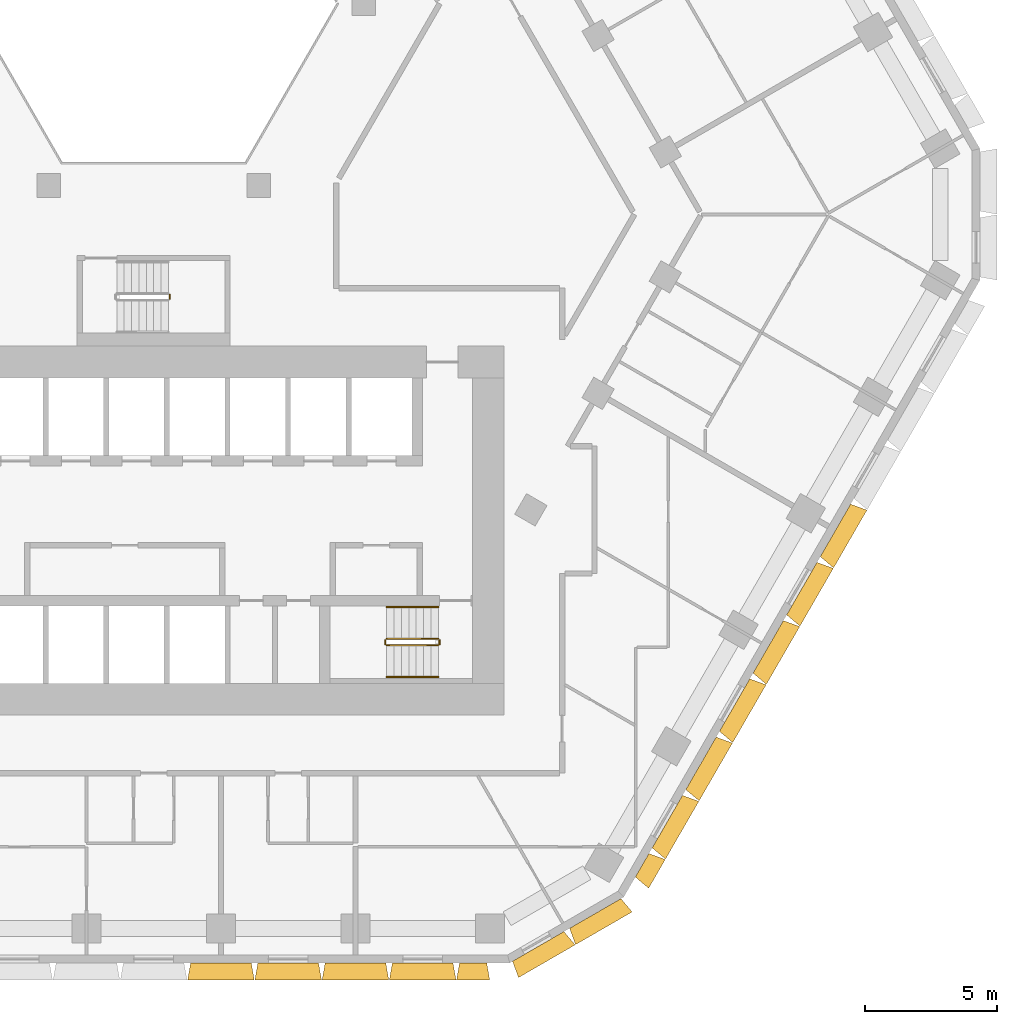
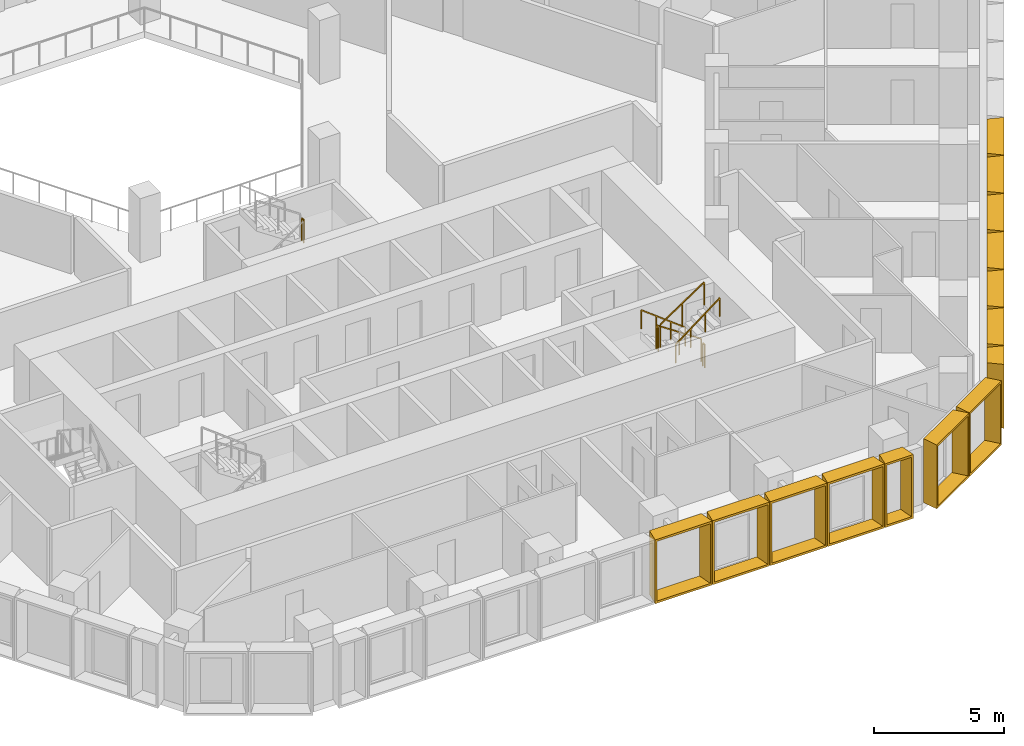
# One storey, part 15 of 16: 14 shading devices, 7 railings.
"""IFC4 building model written with IfcOpenShell, lengths in metres."""

from ifc_helpers import new_model, entity, si_unit, direction, frame, origin, origin_2d, place, context, subcontext, project, spatial, rectangle, extrude, source, transform, mapped, material, type_object, type_shapes, element, save


model = new_model("IFC4")

# Units and contexts
model_context = context("Model", 3, precision=1e-05, world=origin(), true_north=direction((0.0, 1.0)))
body_context = subcontext(model_context, "Body", "Model", "MODEL_VIEW")
ifc_project = project(units=[si_unit("LENGTHUNIT", "METRE"), si_unit("AREAUNIT", "SQUARE_METRE"), si_unit("VOLUMEUNIT", "CUBIC_METRE"), si_unit("PLANEANGLEUNIT", "RADIAN"), si_unit("MASSUNIT", "GRAM", prefix="KILO")], contexts=[model_context])

# Site, building, storey
site_placement = place(None, origin())
site = spatial("IfcSite", under=ifc_project, at=site_placement, CompositionType="ELEMENT")
building_placement = place(site_placement, origin())
building = spatial("IfcBuilding", under=site, at=building_placement, Name="Beryl Residences", CompositionType="ELEMENT")
storey_placement = place(building_placement, frame((0.0, 0.0, 26.39990234375)))
storey = spatial("IfcBuildingStorey", under=building, at=storey_placement, Name="L07", CompositionType="ELEMENT", Elevation=26.39990234375)

# Shading devices
ifc_material_1 = material(Name="Aluminium pale anodised", Category="aluminium")
shading_device_type_1 = type_object("IfcShadingDeviceType", Name="FR128-65A OUTER SKIN frame 650 mm deep, splay 10/10 deg, 1280 x 3000 mm cell", PredefinedType="USERDEFINED", material=ifc_material_1)
cartesian_point_1 = entity("IfcCartesianPoint", [-0.514892578125, 0.0])
cartesian_point_2 = entity("IfcCartesianPoint", [-0.433837890625, 0.10009765625])
cartesian_point_3 = entity("IfcCartesianPoint", [-0.629638671875, 0.0])
cartesian_point_4 = entity("IfcCartesianPoint", [-0.54833984375, 0.10009765625])
shared_shape_1 = source(origin(), body_context, "Body", "SweptSolid", [
    entity("IfcExtrudedAreaSolidTapered", entity("IfcArbitraryProfileDefWithVoids", "AREA", None, entity("IfcPolyline", [cartesian_point_1, entity("IfcCartesianPoint", [0.514892578125, 0.0]), entity("IfcCartesianPoint", [0.514892578125, 3.0]), entity("IfcCartesianPoint", [-0.514892578125, 3.0]), cartesian_point_1]), [entity("IfcPolyline", [cartesian_point_2, entity("IfcCartesianPoint", [0.433837890625, 0.10009765625]), entity("IfcCartesianPoint", [0.433837890625, 2.89990234375]), entity("IfcCartesianPoint", [-0.433837890625, 2.89990234375]), cartesian_point_2])]), entity("IfcAxis2Placement3D", entity("IfcCartesianPoint", [0.0, 0.0, 0.0]), entity("IfcDirection", [0.0, 1.0, 0.0]), entity("IfcDirection", [-1.0, 0.0, 0.0])), entity("IfcDirection", [0.0, 0.0, 1.0]), 0.64990234375, entity("IfcArbitraryProfileDefWithVoids", "AREA", None, entity("IfcPolyline", [cartesian_point_3, entity("IfcCartesianPoint", [0.629638671875, 0.0]), entity("IfcCartesianPoint", [0.629638671875, 3.0]), entity("IfcCartesianPoint", [-0.629638671875, 3.0]), cartesian_point_3]), [entity("IfcPolyline", [cartesian_point_4, entity("IfcCartesianPoint", [0.54833984375, 0.10009765625]), entity("IfcCartesianPoint", [0.54833984375, 2.89990234375]), entity("IfcCartesianPoint", [-0.54833984375, 2.89990234375]), cartesian_point_4])])),
])
type_shapes(shading_device_type_1, [shared_shape_1])
for number, where, z_axis, x_axis, name in (
    (1, (12.123046875, -28.39990234375, 0.0), (0.0, 0.0, 1.0), (-1.0, 0.0, 0.0), "FR128-65A frame L07 S 11"),
    (2, (18.534912109375, -24.697021484375, 0.0), (0.0, 0.0, 1.0), (-0.5, -0.866025403784, 0.0), "FR128-65A frame L07 SE 1"),
):
    element("IfcShadingDevice", number, at=place(storey_placement, frame(where, z_axis=z_axis, x_axis=x_axis)), inside=storey, type_object=shading_device_type_1, Name=name, ObjectType="OUTER SKIN", PredefinedType="USERDEFINED", context=body_context, shape_type="MappedRepresentation", body=[
        mapped(shared_shape_1, transform((0.0, 0.0, 0.0))),
    ])
ifc_material_2 = material(Name="Aluminium pale anodised", Category="aluminium")
shading_device_type_2 = type_object("IfcShadingDeviceType", Name="FR250-65A OUTER SKIN frame 650 mm deep, splay 10/10 deg, 2500 x 3000 mm cell", PredefinedType="USERDEFINED", material=ifc_material_2)
cartesian_point_5 = entity("IfcCartesianPoint", [-1.125, 0.0])
cartesian_point_6 = entity("IfcCartesianPoint", [-1.043701171875, 0.10009765625])
cartesian_point_7 = entity("IfcCartesianPoint", [-1.239501953125, 0.0])
cartesian_point_8 = entity("IfcCartesianPoint", [-1.158447265625, 0.10009765625])
shared_shape_2 = source(origin(), body_context, "Body", "SweptSolid", [
    entity("IfcExtrudedAreaSolidTapered", entity("IfcArbitraryProfileDefWithVoids", "AREA", None, entity("IfcPolyline", [cartesian_point_5, entity("IfcCartesianPoint", [1.125, 0.0]), entity("IfcCartesianPoint", [1.125, 3.0]), entity("IfcCartesianPoint", [-1.125, 3.0]), cartesian_point_5]), [entity("IfcPolyline", [cartesian_point_6, entity("IfcCartesianPoint", [1.043701171875, 0.10009765625]), entity("IfcCartesianPoint", [1.043701171875, 2.89990234375]), entity("IfcCartesianPoint", [-1.043701171875, 2.89990234375]), cartesian_point_6])]), entity("IfcAxis2Placement3D", entity("IfcCartesianPoint", [0.0, 0.0, 0.0]), entity("IfcDirection", [0.0, 1.0, 0.0]), entity("IfcDirection", [-1.0, 0.0, 0.0])), entity("IfcDirection", [0.0, 0.0, 1.0]), 0.64990234375, entity("IfcArbitraryProfileDefWithVoids", "AREA", None, entity("IfcPolyline", [cartesian_point_7, entity("IfcCartesianPoint", [1.239501953125, 0.0]), entity("IfcCartesianPoint", [1.239501953125, 3.0]), entity("IfcCartesianPoint", [-1.239501953125, 3.0]), cartesian_point_7]), [entity("IfcPolyline", [cartesian_point_8, entity("IfcCartesianPoint", [1.158447265625, 0.10009765625]), entity("IfcCartesianPoint", [1.158447265625, 2.89990234375]), entity("IfcCartesianPoint", [-1.158447265625, 2.89990234375]), cartesian_point_8])])),
])
type_shapes(shading_device_type_2, [shared_shape_2])
for number, where, z_axis, x_axis, name in (
    (3, (14.593017578125, -27.77490234375, 0.0), (0.0, 0.0, 1.0), (-0.866025403784, -0.5, 0.0), "FR250-65A frame L07 S-SE 1"),
    (4, (16.758056640625, -26.52490234375, 0.0), (0.0, 0.0, 1.0), (-0.866025403784, -0.5, 0.0), "FR250-65A frame L07 S-SE 2"),
):
    element("IfcShadingDevice", number, at=place(storey_placement, frame(where, z_axis=z_axis, x_axis=x_axis)), inside=storey, type_object=shading_device_type_2, Name=name, ObjectType="OUTER SKIN", PredefinedType="USERDEFINED", context=body_context, shape_type="MappedRepresentation", body=[
        mapped(shared_shape_2, transform((0.0, 0.0, 0.0))),
    ])
ifc_material_3 = material(Name="Aluminium pale anodised", Category="aluminium")
shading_device_type_3 = type_object("IfcShadingDeviceType", Name="FR255-65A OUTER SKIN frame 650 mm deep, splay 10/10 deg, 2550 x 3000 mm cell", PredefinedType="USERDEFINED", material=ifc_material_3)
cartesian_point_9 = entity("IfcCartesianPoint", [-1.14990234375, 0.0])
cartesian_point_10 = entity("IfcCartesianPoint", [-1.06884765625, 0.10009765625])
cartesian_point_11 = entity("IfcCartesianPoint", [-1.2646484375, 0.0])
cartesian_point_12 = entity("IfcCartesianPoint", [-1.183349609375, 0.10009765625])
shared_shape_3 = source(origin(), body_context, "Body", "SweptSolid", [
    entity("IfcExtrudedAreaSolidTapered", entity("IfcArbitraryProfileDefWithVoids", "AREA", None, entity("IfcPolyline", [cartesian_point_9, entity("IfcCartesianPoint", [1.14990234375, 0.0]), entity("IfcCartesianPoint", [1.14990234375, 3.0]), entity("IfcCartesianPoint", [-1.14990234375, 3.0]), cartesian_point_9]), [entity("IfcPolyline", [cartesian_point_10, entity("IfcCartesianPoint", [1.06884765625, 0.10009765625]), entity("IfcCartesianPoint", [1.06884765625, 2.89990234375]), entity("IfcCartesianPoint", [-1.06884765625, 2.89990234375]), cartesian_point_10])]), entity("IfcAxis2Placement3D", entity("IfcCartesianPoint", [0.0, 0.0, 0.0]), entity("IfcDirection", [0.0, 1.0, 0.0]), entity("IfcDirection", [-1.0, 0.0, 0.0])), entity("IfcDirection", [0.0, 0.0, 1.0]), 0.64990234375, entity("IfcArbitraryProfileDefWithVoids", "AREA", None, entity("IfcPolyline", [cartesian_point_11, entity("IfcCartesianPoint", [1.2646484375, 0.0]), entity("IfcCartesianPoint", [1.2646484375, 3.0]), entity("IfcCartesianPoint", [-1.2646484375, 3.0]), cartesian_point_11]), [entity("IfcPolyline", [cartesian_point_12, entity("IfcCartesianPoint", [1.183349609375, 0.10009765625]), entity("IfcCartesianPoint", [1.183349609375, 2.89990234375]), entity("IfcCartesianPoint", [-1.183349609375, 2.89990234375]), cartesian_point_12])])),
])
type_shapes(shading_device_type_3, [shared_shape_3])
for number, where, z_axis, x_axis, name in (
    (5, (2.552978515625, -28.39990234375, 0.0), (0.0, 0.0, 1.0), (-1.0, 0.0, 0.0), "FR255-65A frame L07 S 7"),
    (6, (5.10498046875, -28.39990234375, 0.0), (0.0, 0.0, 1.0), (-1.0, 0.0, 0.0), "FR255-65A frame L07 S 8"),
    (7, (7.656982421875, -28.39990234375, 0.0), (0.0, 0.0, 1.0), (-1.0, 0.0, 0.0), "FR255-65A frame L07 S 9"),
    (8, (10.208984375, -28.39990234375, 0.0), (0.0, 0.0, 1.0), (-1.0, 0.0, 0.0), "FR255-65A frame L07 S 10"),
    (9, (19.491943359375, -23.0400390625, 0.0), (0.0, 0.0, 1.0), (-0.5, -0.866025403784, 0.0), "FR255-65A frame L07 SE 2"),
    (10, (20.76806640625, -20.830078125, 0.0), (0.0, 0.0, 1.0), (-0.5, -0.866025403784, 0.0), "FR255-65A frame L07 SE 3"),
    (11, (22.0439453125, -18.618896484375, 0.0), (0.0, 0.0, 1.0), (-0.5, -0.866025403784, 0.0), "FR255-65A frame L07 SE 4"),
    (12, (23.320068359375, -16.408935546875, 0.0), (0.0, 0.0, 1.0), (-0.5, -0.866025403784, 0.0), "FR255-65A frame L07 SE 5"),
    (13, (24.594970703125, -14.198974609375, 0.0), (0.0, 0.0, 1.0), (-0.5, -0.866025403784, 0.0), "FR255-65A frame L07 SE 6"),
    (14, (25.87109375, -11.989013671875, 0.0), (0.0, 0.0, 1.0), (-0.5, -0.866025403784, 0.0), "FR255-65A frame L07 SE 7"),
):
    element("IfcShadingDevice", number, at=place(storey_placement, frame(where, z_axis=z_axis, x_axis=x_axis)), inside=storey, type_object=shading_device_type_3, Name=name, ObjectType="OUTER SKIN", PredefinedType="USERDEFINED", context=body_context, shape_type="MappedRepresentation", body=[
        mapped(shared_shape_3, transform((0.0, 0.0, 0.0))),
    ])

# Railings
ifc_material_4 = material(Name="Stainless steel balustrade with glass infill", Category="steel")
railing_type_1 = type_object("IfcRailingType", Name="SG1 stair guard 1100 mm", PredefinedType="GUARDRAIL", material=ifc_material_4)
railing_1_placement = place(storey_placement, frame((10.800048828125, -16.10009765625, 0.1875)))
element("IfcRailing", 15, at=railing_1_placement, inside=storey, type_object=railing_type_1, Name="L07 ST-3 stair guard 1", PredefinedType="GUARDRAIL", context=body_context, shape_type="SweptSolid", body=[
    extrude(rectangle(XDim=0.048095703125, YDim=0.048095703125, at=origin_2d()), frame((0.0, 0.0, 1.076171875), z_axis=(-0.830902050051, 0.0, 0.556418712142), x_axis=(0.0, -1.0, 0.0)), (0.0, 0.0, 1.0), 2.35888671875),
    extrude(rectangle(XDim=0.0419921875, YDim=0.0419921875, at=origin_2d()), origin(), (0.0, 0.0, 1.0), 1.052001953125),
    extrude(rectangle(XDim=0.0419921875, YDim=0.0419921875, at=origin_2d()), frame((-0.97998046875, 0.0, 0.65625)), (0.0, 0.0, 1.0), 1.052001953125),
    extrude(rectangle(XDim=0.0419921875, YDim=0.0419921875, at=origin_2d()), frame((-1.9599609375, 0.0, 1.3125)), (0.0, 0.0, 1.0), 1.052001953125),
])
railing_2_placement = place(storey_placement, frame((8.7900390625, -16.14990234375, 1.5)))
element("IfcRailing", 16, at=railing_2_placement, inside=storey, type_object=railing_type_1, Name="L07 ST-3 stair guard 2", PredefinedType="GUARDRAIL", context=body_context, shape_type="SweptSolid", body=[
    extrude(rectangle(XDim=0.048095703125, YDim=0.048095703125, at=origin_2d()), frame((0.0, 0.0, 1.076171875), z_axis=(0.0, -1.0, 0.0), x_axis=(1.0, 0.0, 0.0)), (0.0, 0.0, 1.0), 0.150146484375),
    extrude(rectangle(XDim=0.0419921875, YDim=0.0419921875, at=origin_2d()), origin(), (0.0, 0.0, 1.0), 1.052001953125),
    extrude(rectangle(XDim=0.0419921875, YDim=0.0419921875, at=origin_2d()), frame((0.0, -0.150146484375, 0.0)), (0.0, 0.0, 1.0), 1.052001953125),
])
railing_3_placement = place(storey_placement, frame((8.840087890625, -16.35009765625, 1.6875)))
element("IfcRailing", 17, at=railing_3_placement, inside=storey, type_object=railing_type_1, Name="L07 ST-3 stair guard 3", PredefinedType="GUARDRAIL", context=body_context, shape_type="SweptSolid", body=[
    extrude(rectangle(XDim=0.048095703125, YDim=0.048095703125, at=origin_2d()), frame((0.0, 0.0, 1.076171875), z_axis=(0.830902050051, 0.0, 0.556418712142), x_axis=(0.0, 1.0, 0.0)), (0.0, 0.0, 1.0), 2.35888671875),
    extrude(rectangle(XDim=0.0419921875, YDim=0.0419921875, at=origin_2d()), origin(), (0.0, 0.0, 1.0), 1.052001953125),
    extrude(rectangle(XDim=0.0419921875, YDim=0.0419921875, at=origin_2d()), frame((0.97998046875, 0.0, 0.65625)), (0.0, 0.0, 1.0), 1.052001953125),
    extrude(rectangle(XDim=0.0419921875, YDim=0.0419921875, at=origin_2d()), frame((1.9599609375, 0.0, 1.3125)), (0.0, 0.0, 1.0), 1.052001953125),
])
railing_4_placement = place(storey_placement, frame((10.85009765625, -16.14990234375, 0.0)))
element("IfcRailing", 18, at=railing_4_placement, inside=storey, type_object=railing_type_1, Name="L07 ST-3 stair guard 4", PredefinedType="GUARDRAIL", context=body_context, shape_type="SweptSolid", body=[
    extrude(rectangle(XDim=0.048095703125, YDim=0.048095703125, at=origin_2d()), frame((0.0, 0.0, 1.076171875), z_axis=(0.0, -1.0, 0.0), x_axis=(1.0, 0.0, 0.0)), (0.0, 0.0, 1.0), 0.150146484375),
    extrude(rectangle(XDim=0.0419921875, YDim=0.0419921875, at=origin_2d()), origin(), (0.0, 0.0, 1.0), 1.052001953125),
    extrude(rectangle(XDim=0.0419921875, YDim=0.0419921875, at=origin_2d()), frame((0.0, -0.150146484375, 0.0)), (0.0, 0.0, 1.0), 1.052001953125),
])
railing_5_placement = place(storey_placement, frame((0.610107421875, -3.199951171875, 1.5)))
element("IfcRailing", 19, at=railing_5_placement, inside=storey, type_object=railing_type_1, Name="L07 ST-4 stair guard 2", PredefinedType="GUARDRAIL", context=body_context, shape_type="SweptSolid", body=[
    extrude(rectangle(XDim=0.048095703125, YDim=0.048095703125, at=origin_2d()), frame((0.0, 0.0, 1.076171875), z_axis=(0.0, 1.0, 0.0), x_axis=(-1.0, 0.0, 0.0)), (0.0, 0.0, 1.0), 0.14990234375),
    extrude(rectangle(XDim=0.0419921875, YDim=0.0419921875, at=origin_2d()), origin(), (0.0, 0.0, 1.0), 1.052001953125),
    extrude(rectangle(XDim=0.0419921875, YDim=0.0419921875, at=origin_2d()), frame((0.0, 0.14990234375, 0.0)), (0.0, 0.0, 1.0), 1.052001953125),
])
ifc_material_5 = material(Name="Stainless steel handrail", Category="steel")
railing_type_2 = type_object("IfcRailingType", Name="SRL1 stair handrail 900 mm", PredefinedType="HANDRAIL", material=ifc_material_5)
railing_6_placement = place(storey_placement, frame((10.800048828125, -14.89990234375, 0.1875)))
element("IfcRailing", 20, at=railing_6_placement, inside=storey, type_object=railing_type_2, Name="L07 ST-3 stair handrail 1", PredefinedType="HANDRAIL", context=body_context, shape_type="SweptSolid", body=[
    extrude(rectangle(XDim=0.048095703125, YDim=0.048095703125, at=origin_2d()), frame((0.0, 0.0, 0.8759765625), z_axis=(-0.794121922505, 0.0, 0.607758481798), x_axis=(0.0, -1.0, 0.0)), (0.0, 0.0, 1.0), 2.468017578125),
    extrude(rectangle(XDim=0.0419921875, YDim=0.0419921875, at=origin_2d()), origin(), (0.0, 0.0, 1.0), 0.851806640625),
    extrude(rectangle(XDim=0.0419921875, YDim=0.0419921875, at=origin_2d()), frame((-0.6533203125, 0.0, 0.5)), (0.0, 0.0, 1.0), 0.851806640625),
    extrude(rectangle(XDim=0.0419921875, YDim=0.0419921875, at=origin_2d()), frame((-1.306640625, 0.0, 1.0)), (0.0, 0.0, 1.0), 0.851806640625),
    extrude(rectangle(XDim=0.0419921875, YDim=0.0419921875, at=origin_2d()), frame((-1.9599609375, 0.0, 1.5)), (0.0, 0.0, 1.0), 0.851806640625),
])
railing_7_placement = place(storey_placement, frame((8.840087890625, -17.550048828125, 1.6875)))
element("IfcRailing", 21, at=railing_7_placement, inside=storey, type_object=railing_type_2, Name="L07 ST-3 stair handrail 2", PredefinedType="HANDRAIL", context=body_context, shape_type="SweptSolid", body=[
    extrude(rectangle(XDim=0.048095703125, YDim=0.048095703125, at=origin_2d()), frame((0.0, 0.0, 0.8759765625), z_axis=(0.794121922505, 0.0, 0.607758481798), x_axis=(0.0, 1.0, 0.0)), (0.0, 0.0, 1.0), 2.468017578125),
    extrude(rectangle(XDim=0.0419921875, YDim=0.0419921875, at=origin_2d()), origin(), (0.0, 0.0, 1.0), 0.851806640625),
    extrude(rectangle(XDim=0.0419921875, YDim=0.0419921875, at=origin_2d()), frame((0.6533203125, 0.0, 0.5)), (0.0, 0.0, 1.0), 0.851806640625),
    extrude(rectangle(XDim=0.0419921875, YDim=0.0419921875, at=origin_2d()), frame((1.306640625, 0.0, 1.0)), (0.0, 0.0, 1.0), 0.851806640625),
    extrude(rectangle(XDim=0.0419921875, YDim=0.0419921875, at=origin_2d()), frame((1.9599609375, 0.0, 1.5)), (0.0, 0.0, 1.0), 0.851806640625),
])

save(model, "model.ifc")
